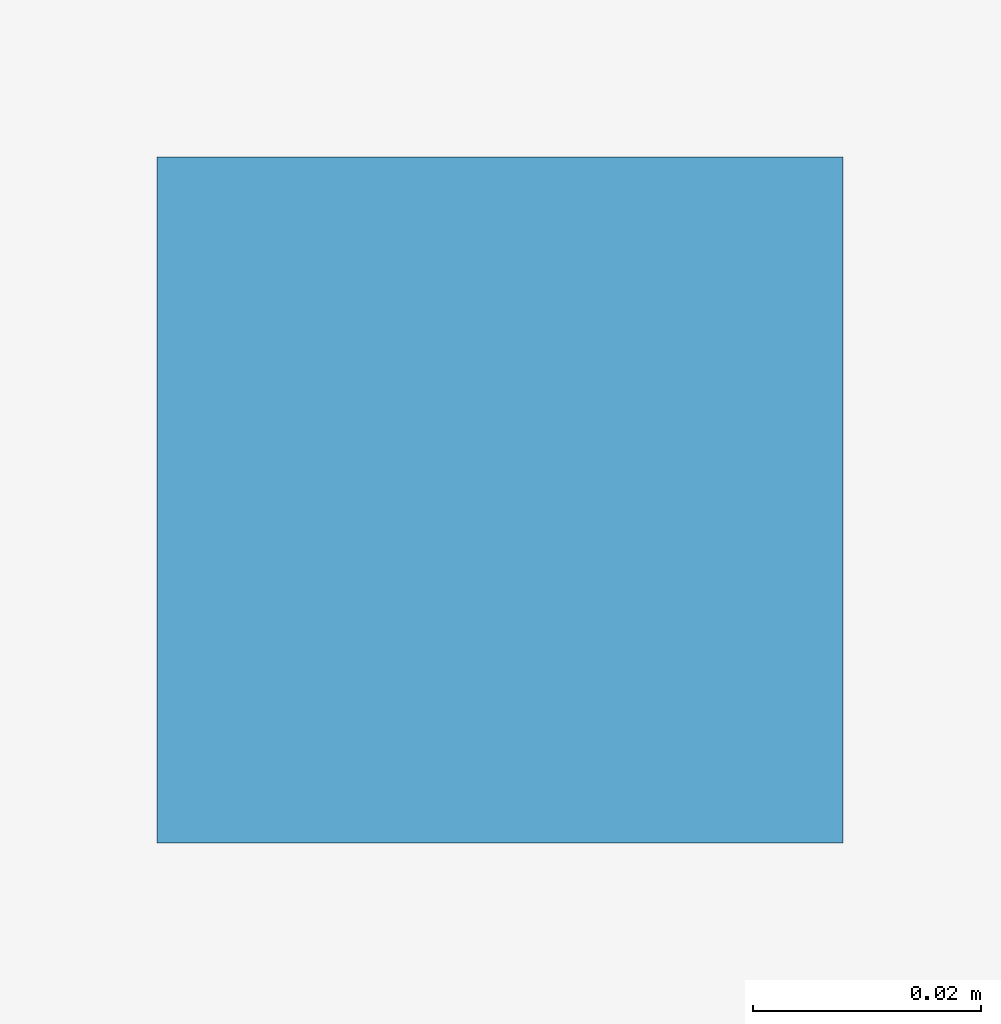
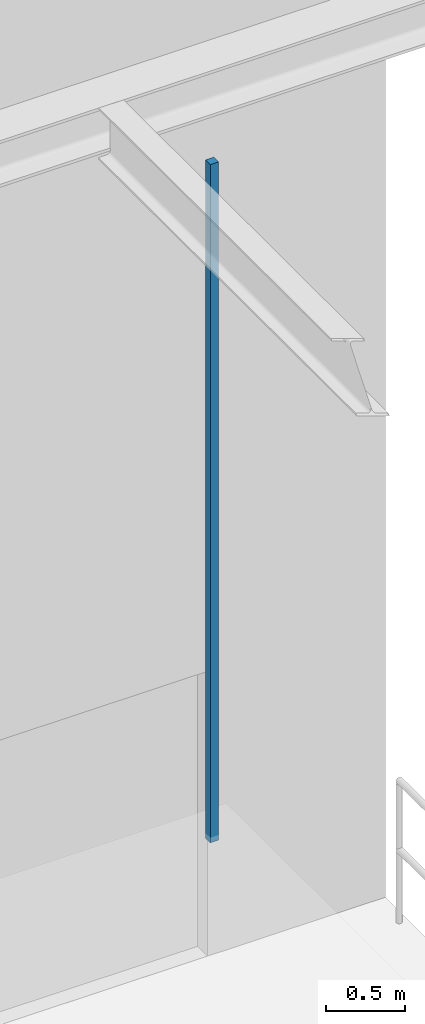
# One storey, part 112 of 138: 1 discrete accessory.
"""IFC4 building model written with IfcOpenShell, lengths in metres."""

from ifc_helpers import new_model, si_unit, direction, frame, origin, origin_2d, place, context, subcontext, project, spatial, rectangle, extrude, material, type_object, element, save


model = new_model("IFC4")

# Units and contexts
model_context = context("Model", 3, precision=1e-05, world=origin(), true_north=direction((0.0, 1.0)))
body_context = subcontext(model_context, "Body", "Model", "MODEL_VIEW")
ifc_project = project(units=[si_unit("LENGTHUNIT", "METRE"), si_unit("AREAUNIT", "SQUARE_METRE"), si_unit("VOLUMEUNIT", "CUBIC_METRE"), si_unit("PLANEANGLEUNIT", "RADIAN"), si_unit("MASSUNIT", "GRAM", prefix="KILO")], contexts=[model_context])

# Site, building, storey
site_placement = place(None, origin())
site = spatial("IfcSite", under=ifc_project, at=site_placement, CompositionType="ELEMENT")
building_placement = place(site_placement, origin())
building = spatial("IfcBuilding", under=site, at=building_placement, Name="Sundkrona Museum", CompositionType="ELEMENT")
storey_placement = place(building_placement, frame((0.0, 0.0, 9.60009765625)))
storey = spatial("IfcBuildingStorey", under=building, at=storey_placement, Name="L02", CompositionType="ELEMENT", Elevation=9.60009765625)

# Discrete accessory
ifc_material = material(Name="Stainless Steel EN 1.4404 Cleat", Category="steel")
discrete_accessory_type = type_object("IfcDiscreteAccessoryType", Name="BRK-FIN-01", PredefinedType="BRACKET", material=ifc_material)
discrete_accessory_placement = place(storey_placement, frame((165.550048828125, 30.949951171875, 2.5498046875), z_axis=(0.0, 0.0, 1.0), x_axis=(1.0, 0.0, 0.0)))
element("IfcDiscreteAccessory", 1, at=discrete_accessory_placement, inside=storey, type_object=discrete_accessory_type, Name="L02 Scandinavian Megafauna Gallery Ceiling Hanger 3", PredefinedType="BRACKET", context=body_context, shape_type="SweptSolid", body=[
    extrude(rectangle(XDim=0.06005859375, YDim=0.06005859375, at=origin_2d()), origin(), (0.0, 0.0, 1.0), 5.239990234375),
])

save(model, "model.ifc")
